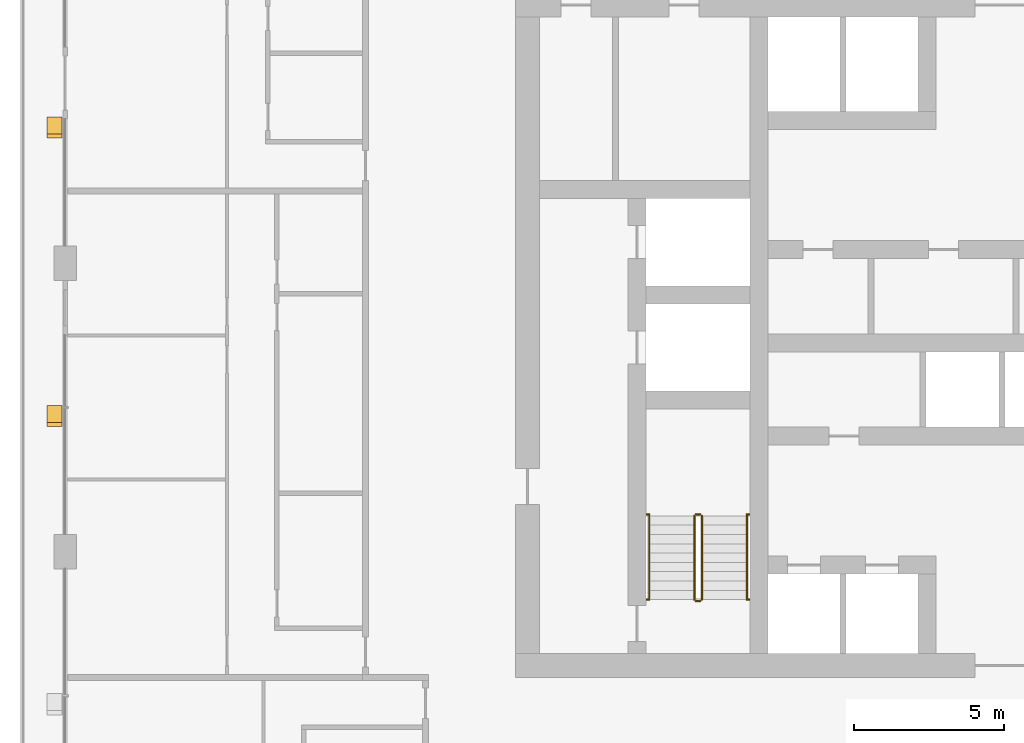
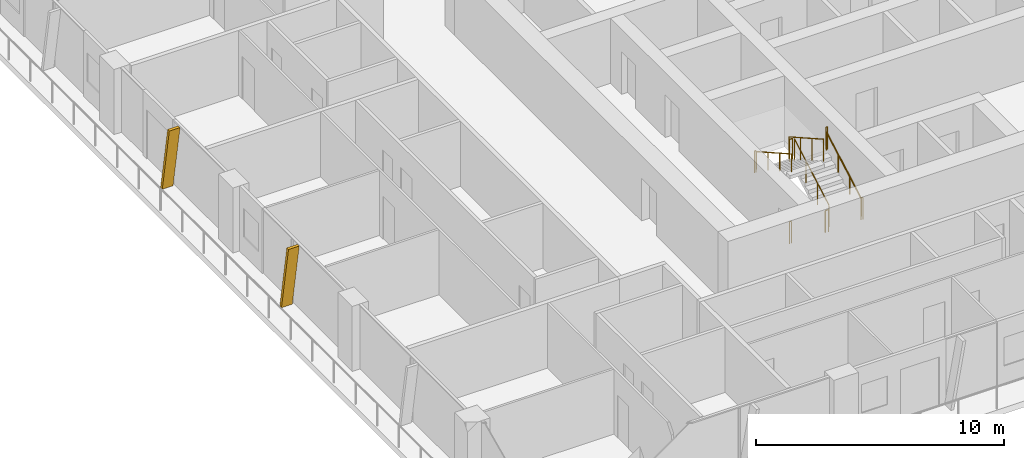
# One storey, part 17 of 22: 10 railings, 2 shading devices.
"""IFC4 building model written with IfcOpenShell, lengths in metres."""

from ifc_helpers import new_model, si_unit, direction, frame, origin, origin_2d, place, context, subcontext, project, spatial, polyline, circle, outline, extrude, material, type_object, element, save


model = new_model("IFC4")

# Units and contexts
model_context = context("Model", 3, precision=1e-05, world=origin(), true_north=direction((0.0, 1.0)))
body_context = subcontext(model_context, "Body", "Model", "MODEL_VIEW")
ifc_project = project(units=[si_unit("LENGTHUNIT", "METRE"), si_unit("AREAUNIT", "SQUARE_METRE"), si_unit("VOLUMEUNIT", "CUBIC_METRE"), si_unit("PLANEANGLEUNIT", "RADIAN"), si_unit("MASSUNIT", "GRAM", prefix="KILO")], contexts=[model_context])

# Site, building, storey
site_placement = place(None, origin())
site = spatial("IfcSite", under=ifc_project, at=site_placement, CompositionType="ELEMENT")
building_placement = place(site_placement, origin())
building = spatial("IfcBuilding", under=site, at=building_placement, Name="Madar Terraces", CompositionType="ELEMENT")
storey_placement = place(building_placement, frame((0.0, 0.0, 136.60009765625)))
storey = spatial("IfcBuildingStorey", under=building, at=storey_placement, Name="L35", CompositionType="ELEMENT", Elevation=136.60009765625)

# Shading devices
ifc_material_1 = material(Name="Aluminium, black anodised", Category="aluminium")
shading_device_type = type_object("IfcShadingDeviceType", Name="Facade fin blade 140 x 500", PredefinedType="USERDEFINED", material=ifc_material_1)
shading_device_1_placement = place(storey_placement, frame((-0.35009765625, 33.669921875, 0.0), z_axis=(0.0, 0.0, 1.0), x_axis=(0.0, -1.0, 0.0)))
element("IfcShadingDevice", 1, at=shading_device_1_placement, inside=storey, type_object=shading_device_type, Name="FIN L35 W2", ObjectType="FIN", PredefinedType="USERDEFINED", context=body_context, shape_type="SweptSolid", body=[
    extrude(outline(polyline([(0.0, 0.0), (0.139892578125, 0.0), (0.704345703125, 3.199951171875), (0.564208984375, 3.199951171875), (0.0, 0.0)])), frame((0.0, 0.25, 0.0), z_axis=(0.0, -1.0, 0.0), x_axis=(1.0, 0.0, 0.0)), (0.0, 0.0, 1.0), 0.5),
])
shading_device_2_placement = place(storey_placement, frame((-0.35009765625, 24.070068359375, 0.0), z_axis=(0.0, 0.0, 1.0), x_axis=(0.0, -1.0, 0.0)))
element("IfcShadingDevice", 2, at=shading_device_2_placement, inside=storey, type_object=shading_device_type, Name="FIN L35 W3", ObjectType="FIN", PredefinedType="USERDEFINED", context=body_context, shape_type="SweptSolid", body=[
    extrude(outline(polyline([(0.0, 0.0), (0.14013671875, 0.0), (0.704345703125, 3.199951171875), (0.564208984375, 3.199951171875), (0.0, 0.0)])), frame((0.0, 0.25, 0.0), z_axis=(0.0, -1.0, 0.0), x_axis=(1.0, 0.0, 0.0)), (0.0, 0.0, 1.0), 0.5),
])

# Railings
ifc_material_2 = material(Name="Stainless steel railing", Category="steel")
railing_type_1 = type_object("IfcRailingType", Name="Stair guard 1100", PredefinedType="GUARDRAIL", material=ifc_material_2)
railing_1_placement = place(storey_placement, frame((21.199951171875, 17.60009765625, 0.1748046875)))
element("IfcRailing", 3, at=railing_1_placement, inside=storey, type_object=railing_type_1, Name="L35 ST1 stair guard 1", PredefinedType="GUARDRAIL", context=body_context, shape_type="SweptSolid", body=[
    extrude(circle(Radius=0.02392578125, at=origin_2d()), frame((0.0, 0.0, 1.076171875), z_axis=(0.0, 0.870782738816, 0.491667999549), x_axis=(-1.0, 0.0, 0.0)), (0.0, 0.0, 1.0), 3.203857421875),
    extrude(circle(Radius=0.02099609375, at=origin_2d()), origin(), (0.0, 0.0, 1.0), 1.052001953125),
    extrude(circle(Radius=0.02099609375, at=origin_2d()), frame((0.0, 0.929931640625, 0.525146484375)), (0.0, 0.0, 1.0), 1.052001953125),
    extrude(circle(Radius=0.02099609375, at=origin_2d()), frame((0.0, 1.85986328125, 1.050048828125)), (0.0, 0.0, 1.0), 1.052001953125),
    extrude(circle(Radius=0.02099609375, at=origin_2d()), frame((0.0, 2.789794921875, 1.5751953125)), (0.0, 0.0, 1.0), 1.052001953125),
])
railing_2_placement = place(storey_placement, frame((21.14990234375, 20.43994140625, 1.75)))
element("IfcRailing", 4, at=railing_2_placement, inside=storey, type_object=railing_type_1, Name="L35 ST1 stair guard 2", PredefinedType="GUARDRAIL", context=body_context, shape_type="SweptSolid", body=[
    extrude(circle(Radius=0.02392578125, at=origin_2d()), frame((0.0, 0.0, 1.076171875), z_axis=(-1.0, 0.0, 0.0), x_axis=(0.0, -1.0, 0.0)), (0.0, 0.0, 1.0), 0.14990234375),
    extrude(circle(Radius=0.02099609375, at=origin_2d()), origin(), (0.0, 0.0, 1.0), 1.052001953125),
    extrude(circle(Radius=0.02099609375, at=origin_2d()), frame((-0.14990234375, 0.0, 0.0)), (0.0, 0.0, 1.0), 1.052001953125),
])
railing_3_placement = place(storey_placement, frame((20.949951171875, 20.389892578125, 1.9248046875)))
element("IfcRailing", 5, at=railing_3_placement, inside=storey, type_object=railing_type_1, Name="L35 ST1 stair guard 3", PredefinedType="GUARDRAIL", context=body_context, shape_type="SweptSolid", body=[
    extrude(circle(Radius=0.02392578125, at=origin_2d()), frame((0.0, 0.0, 1.076171875), z_axis=(0.0, -0.870782738816, 0.491667999549), x_axis=(1.0, 0.0, 0.0)), (0.0, 0.0, 1.0), 3.203857421875),
    extrude(circle(Radius=0.02099609375, at=origin_2d()), origin(), (0.0, 0.0, 1.0), 1.052001953125),
    extrude(circle(Radius=0.02099609375, at=origin_2d()), frame((0.0, -0.929931640625, 0.525146484375)), (0.0, 0.0, 1.0), 1.052001953125),
    extrude(circle(Radius=0.02099609375, at=origin_2d()), frame((0.0, -1.85986328125, 1.050048828125)), (0.0, 0.0, 1.0), 1.052001953125),
    extrude(circle(Radius=0.02099609375, at=origin_2d()), frame((0.0, -2.789794921875, 1.5751953125)), (0.0, 0.0, 1.0), 1.052001953125),
])
railing_4_placement = place(storey_placement, frame((21.14990234375, 17.550048828125, 0.0)))
element("IfcRailing", 6, at=railing_4_placement, inside=storey, type_object=railing_type_1, Name="L35 ST1 stair guard 4", PredefinedType="GUARDRAIL", context=body_context, shape_type="SweptSolid", body=[
    extrude(circle(Radius=0.02392578125, at=origin_2d()), frame((0.0, 0.0, 1.076171875), z_axis=(-1.0, 0.0, 0.0), x_axis=(0.0, -1.0, 0.0)), (0.0, 0.0, 1.0), 0.14990234375),
    extrude(circle(Radius=0.02099609375, at=origin_2d()), origin(), (0.0, 0.0, 1.0), 1.052001953125),
    extrude(circle(Radius=0.02099609375, at=origin_2d()), frame((-0.14990234375, 0.0, 0.0)), (0.0, 0.0, 1.0), 1.052001953125),
])
railing_5_placement = place(storey_placement, frame((19.3701171875, 20.43994140625, 1.75)))
element("IfcRailing", 7, at=railing_5_placement, inside=storey, type_object=railing_type_1, Name="L35 stair guard seat 1", PredefinedType="GUARDRAIL", context=body_context, shape_type="SweptSolid", body=[
    extrude(circle(Radius=0.02392578125, at=origin_2d()), frame((0.0, 0.0, 1.076171875), z_axis=(1.0, 0.0, 0.0), x_axis=(0.0, 1.0, 0.0)), (0.0, 0.0, 1.0), 0.079833984375),
    extrude(circle(Radius=0.02099609375, at=origin_2d()), origin(), (0.0, 0.0, 1.0), 1.052001953125),
    extrude(circle(Radius=0.02099609375, at=origin_2d()), frame((0.079833984375, 0.0, 0.0)), (0.0, 0.0, 1.0), 1.052001953125),
])
railing_6_placement = place(storey_placement, frame((22.699951171875, 20.43994140625, 1.75)))
element("IfcRailing", 8, at=railing_6_placement, inside=storey, type_object=railing_type_1, Name="L35 stair guard seat 2", PredefinedType="GUARDRAIL", context=body_context, shape_type="SweptSolid", body=[
    extrude(circle(Radius=0.02392578125, at=origin_2d()), frame((0.0, 0.0, 1.076171875), z_axis=(1.0, 0.0, 0.0), x_axis=(0.0, 1.0, 0.0)), (0.0, 0.0, 1.0), 0.080078125),
    extrude(circle(Radius=0.02099609375, at=origin_2d()), origin(), (0.0, 0.0, 1.0), 1.052001953125),
    extrude(circle(Radius=0.02099609375, at=origin_2d()), frame((0.080078125, 0.0, 0.0)), (0.0, 0.0, 1.0), 1.052001953125),
])
railing_7_placement = place(storey_placement, frame((19.3701171875, 17.60009765625, 0.0)))
element("IfcRailing", 9, at=railing_7_placement, inside=storey, type_object=railing_type_1, Name="L35 stair guard floor 1", PredefinedType="GUARDRAIL", context=body_context, shape_type="SweptSolid", body=[
    extrude(circle(Radius=0.02392578125, at=origin_2d()), frame((0.0, 0.0, 1.076171875), z_axis=(1.0, 0.0, 0.0), x_axis=(0.0, 1.0, 0.0)), (0.0, 0.0, 1.0), 0.079833984375),
    extrude(circle(Radius=0.02099609375, at=origin_2d()), origin(), (0.0, 0.0, 1.0), 1.052001953125),
    extrude(circle(Radius=0.02099609375, at=origin_2d()), frame((0.079833984375, 0.0, 0.0)), (0.0, 0.0, 1.0), 1.052001953125),
])
railing_8_placement = place(storey_placement, frame((22.699951171875, 17.60009765625, 0.0)))
element("IfcRailing", 10, at=railing_8_placement, inside=storey, type_object=railing_type_1, Name="L35 stair guard floor 2", PredefinedType="GUARDRAIL", context=body_context, shape_type="SweptSolid", body=[
    extrude(circle(Radius=0.02392578125, at=origin_2d()), frame((0.0, 0.0, 1.076171875), z_axis=(1.0, 0.0, 0.0), x_axis=(0.0, 1.0, 0.0)), (0.0, 0.0, 1.0), 0.080078125),
    extrude(circle(Radius=0.02099609375, at=origin_2d()), origin(), (0.0, 0.0, 1.0), 1.052001953125),
    extrude(circle(Radius=0.02099609375, at=origin_2d()), frame((0.080078125, 0.0, 0.0)), (0.0, 0.0, 1.0), 1.052001953125),
])
ifc_material_3 = material(Name="Stainless steel railing", Category="steel")
railing_type_2 = type_object("IfcRailingType", Name="Stair handrail 900", PredefinedType="HANDRAIL", material=ifc_material_3)
railing_9_placement = place(storey_placement, frame((22.699951171875, 17.60009765625, 0.1748046875)))
element("IfcRailing", 11, at=railing_9_placement, inside=storey, type_object=railing_type_2, Name="L35 ST1 stair handrail 1", PredefinedType="HANDRAIL", context=body_context, shape_type="SweptSolid", body=[
    extrude(circle(Radius=0.02392578125, at=origin_2d()), frame((0.0, 0.0, 0.8759765625), z_axis=(0.0, 0.870782738816, 0.491667999549), x_axis=(-1.0, 0.0, 0.0)), (0.0, 0.0, 1.0), 3.203857421875),
    extrude(circle(Radius=0.02099609375, at=origin_2d()), origin(), (0.0, 0.0, 1.0), 0.851806640625),
    extrude(circle(Radius=0.02099609375, at=origin_2d()), frame((0.0, 0.929931640625, 0.525146484375)), (0.0, 0.0, 1.0), 0.851806640625),
    extrude(circle(Radius=0.02099609375, at=origin_2d()), frame((0.0, 1.85986328125, 1.050048828125)), (0.0, 0.0, 1.0), 0.851806640625),
    extrude(circle(Radius=0.02099609375, at=origin_2d()), frame((0.0, 2.789794921875, 1.5751953125)), (0.0, 0.0, 1.0), 0.851806640625),
])
railing_10_placement = place(storey_placement, frame((19.449951171875, 20.389892578125, 1.9248046875)))
element("IfcRailing", 12, at=railing_10_placement, inside=storey, type_object=railing_type_2, Name="L35 ST1 stair handrail 2", PredefinedType="HANDRAIL", context=body_context, shape_type="SweptSolid", body=[
    extrude(circle(Radius=0.02392578125, at=origin_2d()), frame((0.0, 0.0, 0.8759765625), z_axis=(0.0, -0.870782738816, 0.491667999549), x_axis=(1.0, 0.0, 0.0)), (0.0, 0.0, 1.0), 3.203857421875),
    extrude(circle(Radius=0.02099609375, at=origin_2d()), origin(), (0.0, 0.0, 1.0), 0.851806640625),
    extrude(circle(Radius=0.02099609375, at=origin_2d()), frame((0.0, -0.929931640625, 0.525146484375)), (0.0, 0.0, 1.0), 0.851806640625),
    extrude(circle(Radius=0.02099609375, at=origin_2d()), frame((0.0, -1.85986328125, 1.050048828125)), (0.0, 0.0, 1.0), 0.851806640625),
    extrude(circle(Radius=0.02099609375, at=origin_2d()), frame((0.0, -2.789794921875, 1.5751953125)), (0.0, 0.0, 1.0), 0.851806640625),
])

save(model, "model.ifc")
